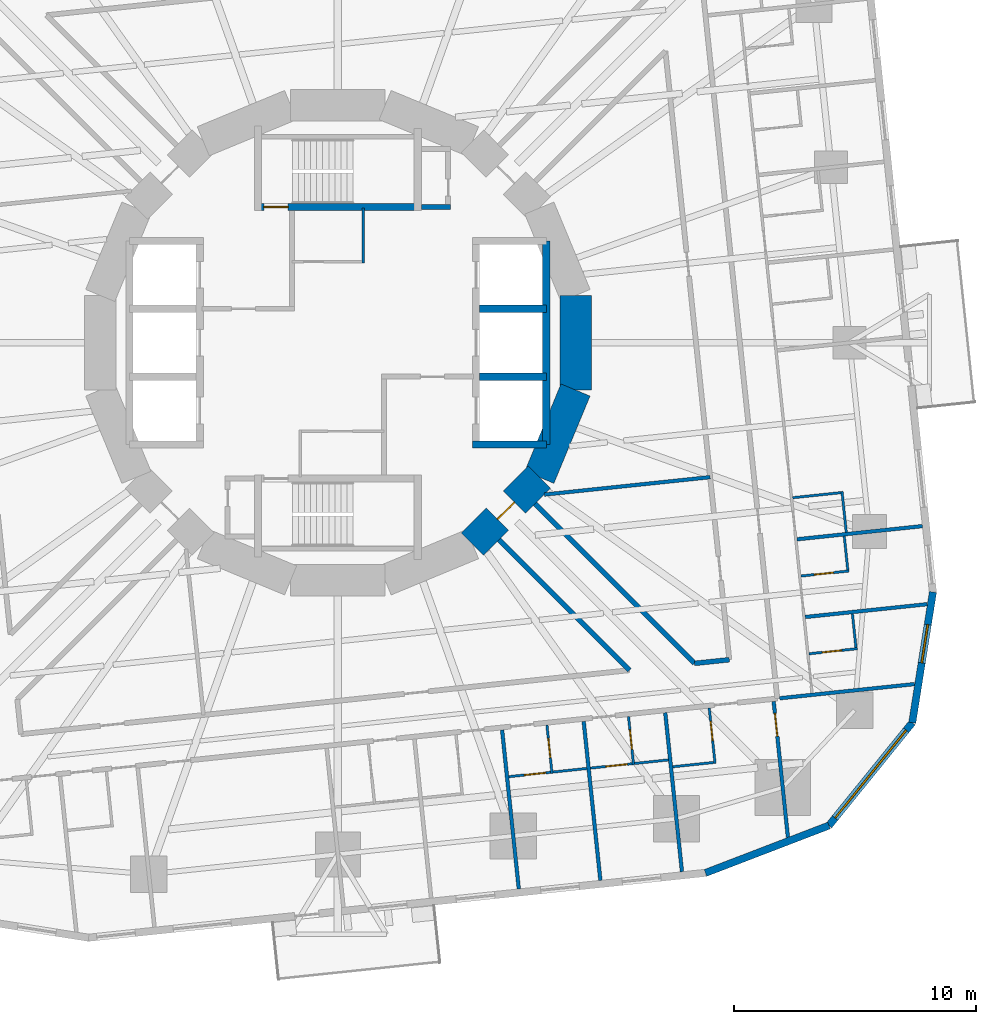
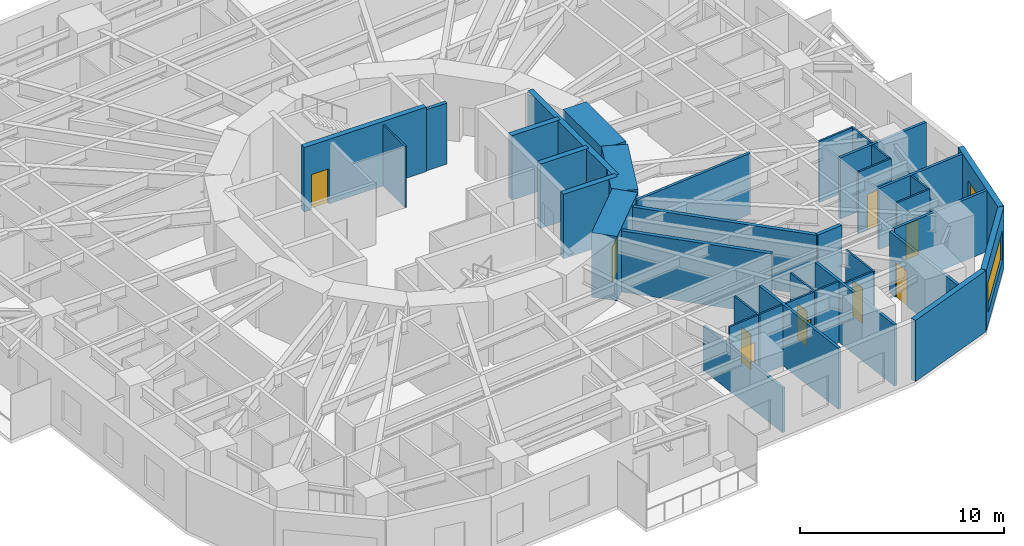
# One storey, part 8 of 14: 38 walls, 10 doors, 2 windows, 12 openings.
"""IFC4 building model written with IfcOpenShell, lengths in metres."""

from ifc_helpers import new_model, si_unit, direction, frame, frame_2d, origin, place, context, subcontext, project, spatial, rectangle, extrude, material, layer, layer_set, type_object, element, fill, save


model = new_model("IFC4")

# Units and contexts
model_context = context("Model", 3, precision=1e-05, world=origin(), true_north=direction((0.0, 1.0)))
body_context = subcontext(model_context, "Body", "Model", "MODEL_VIEW")
ifc_project = project(units=[si_unit("LENGTHUNIT", "METRE"), si_unit("AREAUNIT", "SQUARE_METRE"), si_unit("VOLUMEUNIT", "CUBIC_METRE"), si_unit("PLANEANGLEUNIT", "RADIAN"), si_unit("MASSUNIT", "GRAM", prefix="KILO")], contexts=[model_context])

# Site, building, storey
site_placement = place(None, origin())
site = spatial("IfcSite", under=ifc_project, at=site_placement, CompositionType="ELEMENT")
building_placement = place(site_placement, origin())
building = spatial("IfcBuilding", under=site, at=building_placement, Name="Nakasero Lantern House", CompositionType="ELEMENT")
storey_placement = place(building_placement, frame((0.0, 0.0, 87.449951171875)))
storey = spatial("IfcBuildingStorey", under=building, at=storey_placement, Name="L21", CompositionType="ELEMENT", Elevation=87.449951171875)

# Walls
ifc_material_1 = material(Name="Concrete C50/60", Category="concrete")
ifc_layer_1 = layer(ifc_material_1, 0.300048828125)
ifc_layer_set_1 = layer_set([ifc_layer_1], Name="Core inner wall 300")
wall_type_1 = type_object("IfcWallType", Name="Core inner wall 300", PredefinedType="SHEAR", material=ifc_layer_set_1)
wall_1_placement = place(storey_placement, frame((5.550048828125, -4.199951171875, 0.0), z_axis=(0.0, 0.0, 1.0), x_axis=(1.0, 0.0, 0.0)))
element("IfcWall", 1, at=wall_1_placement, inside=storey, type_object=wall_type_1, Name="Core inner wall L21 LES", PredefinedType="SHEAR", context=body_context, shape_type="SweptSolid", body=[
    extrude(rectangle(XDim=3.050048828125, YDim=0.300048828125, at=frame_2d((1.52490234375, 0.0))), origin(), (0.0, 0.0, 1.0), 3.85009765625),
])
wall_2_placement = place(storey_placement, frame((8.60009765625, -4.199951171875, 0.0), z_axis=(0.0, 0.0, 1.0), x_axis=(0.0, 1.0, 0.0)))
element("IfcWall", 2, at=wall_2_placement, inside=storey, type_object=wall_type_1, Name="Core inner wall L21 LEB", PredefinedType="SHEAR", context=body_context, shape_type="SweptSolid", body=[
    extrude(rectangle(XDim=8.39990234375, YDim=0.300048828125, at=frame_2d((4.199951171875, 0.0))), origin(), (0.0, 0.0, 1.0), 3.85009765625),
])
for number, where, z_axis, x_axis, name in (
    (3, (5.85009765625, -1.39990234375, 0.0), (0.0, 0.0, 1.0), (1.0, 0.0, 0.0), "Core inner wall L21 LE1"),
    (4, (5.85009765625, 1.39990234375, 0.0), (0.0, 0.0, 1.0), (1.0, 0.0, 0.0), "Core inner wall L21 LE2"),
):
    element("IfcWall", number, at=place(storey_placement, frame(where, z_axis=z_axis, x_axis=x_axis)), inside=storey, type_object=wall_type_1, Name=name, PredefinedType="SHEAR", context=body_context, shape_type="SweptSolid", body=[
        extrude(rectangle(XDim=2.75, YDim=0.300048828125, at=frame_2d((1.375, 0.0))), origin(), (0.0, 0.0, 1.0), 3.85009765625),
    ])

# Wall, opening, door
wall_3_placement = place(storey_placement, frame((-3.449951171875, 5.60009765625, 0.0), z_axis=(0.0, 0.0, 1.0), x_axis=(1.0, 0.0, 0.0)))
wall_3 = element("IfcWall", 5, at=wall_3_placement, inside=storey, type_object=wall_type_1, Name="Core inner wall L21 SN", PredefinedType="SHEAR", context=body_context, shape_type="SweptSolid", body=[
    extrude(rectangle(XDim=6.89990234375, YDim=0.300048828125, at=frame_2d((3.449951171875, 0.0))), origin(), (0.0, 0.0, 1.0), 3.85009765625),
])
opening_1_placement = place(wall_3_placement, frame((0.39990234375, 0.0, 0.0)))
opening_1 = element("IfcOpeningElement", 6, at=opening_1_placement, cuts=wall_3, Name="Opening D05", PredefinedType="OPENING", context=body_context, shape_type="SweptSolid", body=[
    extrude(rectangle(XDim=1.0, YDim=2.10009765625, at=frame_2d((0.5, 1.050048828125))), frame((0.0, 0.169921875, 0.0), z_axis=(0.0, -1.0, 0.0), x_axis=(1.0, 0.0, 0.0)), (0.0, 0.0, 1.0), 0.340087890625),
])
ifc_material_2 = material(Name="Timber C24", Category="wood")
door_type_1 = type_object("IfcDoorType", Name="Core door FD60S 1000", OperationType="SINGLE_SWING_LEFT", PredefinedType="DOOR", material=ifc_material_2)
door_1_placement = place(opening_1_placement, origin())
door_1 = element("IfcDoor", 7, at=door_1_placement, inside=storey, type_object=door_type_1, Name="Door L21 D-ST1", OperationType="SINGLE_SWING_LEFT", OverallHeight=2.10009765625, OverallWidth=1.0, PredefinedType="DOOR", context=body_context, shape_type="SweptSolid", body=[
    extrude(rectangle(XDim=1.0, YDim=2.10009765625, at=frame_2d((0.5, 1.050048828125))), frame((0.0, 0.02490234375, 0.0), z_axis=(0.0, -1.0, 0.0), x_axis=(1.0, 0.0, 0.0)), (0.0, 0.0, 1.0), 0.050048828125),
])
fill(opening_1, door_1)

# Wall
ifc_material_3 = material(Name="Blockwork", Category="masonry")
ifc_layer_2 = layer(ifc_material_3, 0.10009765625)
ifc_layer_set_2 = layer_set([ifc_layer_2], Name="Core room wall 100")
wall_type_2 = type_object("IfcWallType", Name="Core room wall 100", PredefinedType="PARTITIONING", material=ifc_layer_set_2)
wall_4_placement = place(storey_placement, frame((1.050048828125, 3.300048828125, 0.0), z_axis=(0.0, 0.0, 1.0), x_axis=(0.0, 1.0, 0.0)))
element("IfcWall", 8, at=wall_4_placement, inside=storey, type_object=wall_type_2, Name="Core room wall L21 CR-NEE", PredefinedType="PARTITIONING", context=body_context, shape_type="SweptSolid", body=[
    extrude(rectangle(XDim=2.25, YDim=0.10009765625, at=frame_2d((1.125, 0.0))), origin(), (0.0, 0.0, 1.0), 3.650146484375),
])

# Wall, opening, door
ifc_material_4 = material(Name="Concrete C50/60", Category="concrete")
ifc_layer_3 = layer(ifc_material_4, 1.300048828125)
ifc_layer_set_3 = layer_set([ifc_layer_3], Name="Core wall 1300")
wall_type_3 = type_object("IfcWallType", Name="Core wall 1300", PredefinedType="SHEAR", material=ifc_layer_set_3)
wall_5_placement = place(storey_placement, frame((5.5556640625, -8.314697265625, 0.0), z_axis=(0.0, 0.0, 1.0), x_axis=(0.707106781187, 0.707106781187, 0.0)))
wall_5 = element("IfcWall", 9, at=wall_5_placement, inside=storey, type_object=wall_type_3, Name="Core wall L21 facet 14", PredefinedType="SHEAR", context=body_context, shape_type="SweptSolid", body=[
    extrude(rectangle(XDim=3.90185546875, YDim=1.300048828125, at=frame_2d((1.950927734375, 0.0))), origin(), (0.0, 0.0, 1.0), 3.85009765625),
])
opening_2_placement = place(wall_5_placement, frame((1.450927734375, 0.0, 0.0)))
opening_2 = element("IfcOpeningElement", 10, at=opening_2_placement, cuts=wall_5, Name="Opening D05", PredefinedType="OPENING", context=body_context, shape_type="SweptSolid", body=[
    extrude(rectangle(XDim=1.0, YDim=2.10009765625, at=frame_2d((0.5, 1.050048828125))), frame((0.0, 0.669921875, 0.0), z_axis=(0.0, -1.0, 0.0), x_axis=(1.0, 0.0, 0.0)), (0.0, 0.0, 1.0), 1.340087890625),
])
door_2_placement = place(opening_2_placement, origin())
door_2 = element("IfcDoor", 11, at=door_2_placement, inside=storey, type_object=door_type_1, Name="Door L21 D-CORE14", OperationType="SINGLE_SWING_LEFT", OverallHeight=2.10009765625, OverallWidth=1.0, PredefinedType="DOOR", context=body_context, shape_type="SweptSolid", body=[
    extrude(rectangle(XDim=1.0, YDim=2.10009765625, at=frame_2d((0.5, 1.050048828125))), frame((0.0, 0.02490234375, 0.0), z_axis=(0.0, -1.0, 0.0), x_axis=(1.0, 0.0, 0.0)), (0.0, 0.0, 1.0), 0.050048828125),
])
fill(opening_2, door_2)

# Walls
for number, where, z_axis, x_axis, name in (
    (12, (8.314697265625, -5.5556640625, 0.0), (0.0, 0.0, 1.0), (0.382690736062, 0.923876507187, 0.0), "Core wall L21 facet 15"),
    (13, (9.807861328125, -1.950927734375, 0.0), (0.0, 0.0, 1.0), (0.0, 1.0, 0.0), "Core wall L21 facet 16"),
):
    element("IfcWall", number, at=place(storey_placement, frame(where, z_axis=z_axis, x_axis=x_axis)), inside=storey, type_object=wall_type_3, Name=name, PredefinedType="SHEAR", context=body_context, shape_type="SweptSolid", body=[
        extrude(rectangle(XDim=3.90185546875, YDim=1.300048828125, at=frame_2d((1.950927734375, 0.0))), origin(), (0.0, 0.0, 1.0), 3.85009765625),
    ])
ifc_material_5 = material(Name="Blockwork", Category="masonry")
ifc_layer_4 = layer(ifc_material_5, 0.199951171875)
ifc_layer_set_4 = layer_set([ifc_layer_4], Name="Corridor wall 200")
wall_type_4 = type_object("IfcWallType", Name="Corridor wall 200", PredefinedType="PARTITIONING", material=ifc_layer_set_4)
wall_6_placement = place(storey_placement, frame((14.718994140625, -13.23388671875, 0.0), z_axis=(0.0, 0.0, 1.0), x_axis=(0.994533193131, 0.104420916302, 0.0)))
element("IfcWall", 14, at=wall_6_placement, inside=storey, type_object=wall_type_4, Name="Corridor wall L21 IW3-1", PredefinedType="PARTITIONING", context=body_context, shape_type="SweptSolid", body=[
    extrude(rectangle(XDim=1.44482421875, YDim=0.199951171875, at=frame_2d((0.722412109375, 0.0))), origin(), (0.0, 0.0, 1.0), 3.650146484375),
])
wall_7_placement = place(storey_placement, frame((8.13720703125, -6.65234375, 0.0), z_axis=(0.0, 0.0, 1.0), x_axis=(0.707119895793, -0.707093666337, 0.0)))
element("IfcWall", 15, at=wall_7_placement, inside=storey, type_object=wall_type_4, Name="Corridor wall L21 PS14a", PredefinedType="PARTITIONING", context=body_context, shape_type="SweptSolid", body=[
    extrude(rectangle(XDim=9.307861328125, YDim=0.199951171875, at=frame_2d((4.65380859375, 0.0))), origin(), (0.0, 0.0, 1.0), 3.650146484375),
])
wall_8_placement = place(storey_placement, frame((6.65234375, -8.13720703125, 0.0), z_axis=(0.0, 0.0, 1.0), x_axis=(0.707106781187, -0.707106781187, 0.0)))
element("IfcWall", 16, at=wall_8_placement, inside=storey, type_object=wall_type_4, Name="Corridor wall L21 PS14b", PredefinedType="PARTITIONING", context=body_context, shape_type="SweptSolid", body=[
    extrude(rectangle(XDim=7.607177734375, YDim=0.199951171875, at=frame_2d((3.8037109375, 0.0))), origin(), (0.0, 0.0, 1.0), 3.650146484375),
])
ifc_material_6 = material(Name="Blockwork", Category="masonry")
ifc_layer_5 = layer(ifc_material_6, 0.10009765625)
ifc_layer_set_5 = layer_set([ifc_layer_5], Name="En-suite wall 100")
wall_type_5 = type_object("IfcWallType", Name="En-suite wall 100", PredefinedType="PARTITIONING", material=ifc_layer_set_5)
wall_9_placement = place(storey_placement, frame((18.771484375, -6.397216796875, 0.0), z_axis=(0.0, 0.0, 1.0), x_axis=(0.994523910136, 0.104509292252, 0.0)))
element("IfcWall", 17, at=wall_9_placement, inside=storey, type_object=wall_type_5, Name="En-suite wall L21 SS0-0", PredefinedType="PARTITIONING", context=body_context, shape_type="SweptSolid", body=[
    extrude(rectangle(XDim=2.10009765625, YDim=0.10009765625, at=frame_2d((1.050048828125, 0.0))), origin(), (0.0, 0.0, 1.0), 3.650146484375),
])
wall_10_placement = place(storey_placement, frame((20.982666015625, -7.823974609375, 0.0), z_axis=(0.0, 0.0, 1.0), x_axis=(-0.104408173862, 0.994534530939, 0.0)))
element("IfcWall", 18, at=wall_10_placement, inside=storey, type_object=wall_type_5, Name="En-suite wall L21 SE0-0", PredefinedType="PARTITIONING", context=body_context, shape_type="SweptSolid", body=[
    extrude(rectangle(XDim=1.699951171875, YDim=0.10009765625, at=frame_2d((0.85009765625, 0.0))), origin(), (0.0, 0.0, 1.0), 3.650146484375),
])

# Wall, opening, door
wall_11_placement = place(storey_placement, frame((19.448486328125, -12.837158203125, 0.0), z_axis=(0.0, 0.0, 1.0), x_axis=(0.99452550138, 0.104494148666, 0.0)))
wall_11 = element("IfcWall", 19, at=wall_11_placement, inside=storey, type_object=wall_type_5, Name="En-suite wall L21 ES0-00", PredefinedType="PARTITIONING", context=body_context, shape_type="SweptSolid", body=[
    extrude(rectangle(XDim=2.0, YDim=0.10009765625, at=frame_2d((1.0, 0.0))), origin(), (0.0, 0.0, 1.0), 3.650146484375),
])
opening_3_placement = place(wall_11_placement, frame((0.550048828125, 0.0, 0.0)))
opening_3 = element("IfcOpeningElement", 20, at=opening_3_placement, cuts=wall_11, Name="Opening D02", PredefinedType="OPENING", context=body_context, shape_type="SweptSolid", body=[
    extrude(rectangle(XDim=0.800048828125, YDim=2.10009765625, at=frame_2d((0.39990234375, 1.050048828125))), frame((0.0, 0.070068359375, 0.0), z_axis=(0.0, -1.0, 0.0), x_axis=(1.0, 0.0, 0.0)), (0.0, 0.0, 1.0), 0.14013671875),
])
ifc_material_7 = material(Name="Timber C24", Category="wood")
door_type_2 = type_object("IfcDoorType", Name="En-suite door 800", OperationType="SINGLE_SWING_RIGHT", PredefinedType="DOOR", material=ifc_material_7)
door_3_placement = place(opening_3_placement, origin())
door_3 = element("IfcDoor", 21, at=door_3_placement, inside=storey, type_object=door_type_2, Name="Door L21 DE0-00", OperationType="SINGLE_SWING_LEFT", OverallHeight=2.10009765625, OverallWidth=0.800048828125, PredefinedType="DOOR", context=body_context, shape_type="SweptSolid", body=[
    extrude(rectangle(XDim=0.800048828125, YDim=2.10009765625, at=frame_2d((0.39990234375, 1.050048828125))), frame((0.0, 0.02490234375, 0.0), z_axis=(0.0, -1.0, 0.0), x_axis=(1.0, 0.0, 0.0)), (0.0, 0.0, 1.0), 0.050048828125),
])
fill(opening_3, door_3)

# Wall
wall_12_placement = place(storey_placement, frame((21.382568359375, -12.58349609375, 0.0), z_axis=(0.0, 0.0, 1.0), x_axis=(-0.104630319263, 0.994511184598, 0.0)))
element("IfcWall", 22, at=wall_12_placement, inside=storey, type_object=wall_type_5, Name="En-suite wall L21 EE0-00", PredefinedType="PARTITIONING", context=body_context, shape_type="SweptSolid", body=[
    extrude(rectangle(XDim=1.39990234375, YDim=0.10009765625, at=frame_2d((0.699951171875, 0.0))), origin(), (0.0, 0.0, 1.0), 3.650146484375),
])

# Wall, opening, door
wall_13_placement = place(storey_placement, frame((19.111328125, -9.62939453125, 0.0), z_axis=(0.0, 0.0, 1.0), x_axis=(0.99452550138, 0.104494148666, 0.0)))
wall_13 = element("IfcWall", 23, at=wall_13_placement, inside=storey, type_object=wall_type_5, Name="En-suite wall L21 ES0-01", PredefinedType="PARTITIONING", context=body_context, shape_type="SweptSolid", body=[
    extrude(rectangle(XDim=2.0, YDim=0.10009765625, at=frame_2d((1.0, 0.0))), origin(), (0.0, 0.0, 1.0), 3.650146484375),
])
opening_4_placement = place(wall_13_placement, frame((0.550048828125, 0.0, 0.0)))
opening_4 = element("IfcOpeningElement", 24, at=opening_4_placement, cuts=wall_13, Name="Opening D02", PredefinedType="OPENING", context=body_context, shape_type="SweptSolid", body=[
    extrude(rectangle(XDim=0.800048828125, YDim=2.10009765625, at=frame_2d((0.39990234375, 1.050048828125))), frame((0.0, 0.070068359375, 0.0), z_axis=(0.0, -1.0, 0.0), x_axis=(1.0, 0.0, 0.0)), (0.0, 0.0, 1.0), 0.14013671875),
])
door_4_placement = place(opening_4_placement, origin())
door_4 = element("IfcDoor", 25, at=door_4_placement, inside=storey, type_object=door_type_2, Name="Door L21 DE0-01", OperationType="SINGLE_SWING_LEFT", OverallHeight=2.10009765625, OverallWidth=0.800048828125, PredefinedType="DOOR", context=body_context, shape_type="SweptSolid", body=[
    extrude(rectangle(XDim=0.800048828125, YDim=2.10009765625, at=frame_2d((0.39990234375, 1.050048828125))), frame((0.0, 0.02490234375, 0.0), z_axis=(0.0, -1.0, 0.0), x_axis=(1.0, 0.0, 0.0)), (0.0, 0.0, 1.0), 0.050048828125),
])
fill(opening_4, door_4)

# Wall
wall_14_placement = place(storey_placement, frame((21.04541015625, -9.3759765625, 0.0), z_axis=(0.0, 0.0, 1.0), x_axis=(-0.104630319263, 0.994511184598, 0.0)))
element("IfcWall", 26, at=wall_14_placement, inside=storey, type_object=wall_type_5, Name="En-suite wall L21 EE0-01", PredefinedType="PARTITIONING", context=body_context, shape_type="SweptSolid", body=[
    extrude(rectangle(XDim=1.39990234375, YDim=0.10009765625, at=frame_2d((0.699951171875, 0.0))), origin(), (0.0, 0.0, 1.0), 3.650146484375),
])

# Wall, opening, door
wall_15_placement = place(storey_placement, frame((8.627685546875, -15.78466796875, 0.0), z_axis=(0.0, 0.0, 1.0), x_axis=(0.104614886044, -0.994512808172, 0.0)))
wall_15 = element("IfcWall", 27, at=wall_15_placement, inside=storey, type_object=wall_type_5, Name="En-suite wall L21 ES3-06", PredefinedType="PARTITIONING", context=body_context, shape_type="SweptSolid", body=[
    extrude(rectangle(XDim=2.0, YDim=0.10009765625, at=frame_2d((1.0, 0.0))), origin(), (0.0, 0.0, 1.0), 3.650146484375),
])
opening_5_placement = place(wall_15_placement, frame((0.550048828125, 0.0, 0.0)))
opening_5 = element("IfcOpeningElement", 28, at=opening_5_placement, cuts=wall_15, Name="Opening D02", PredefinedType="OPENING", context=body_context, shape_type="SweptSolid", body=[
    extrude(rectangle(XDim=0.800048828125, YDim=2.10009765625, at=frame_2d((0.39990234375, 1.050048828125))), frame((0.0, 0.070068359375, 0.0), z_axis=(0.0, -1.0, 0.0), x_axis=(1.0, 0.0, 0.0)), (0.0, 0.0, 1.0), 0.14013671875),
])
door_5_placement = place(opening_5_placement, origin())
door_5 = element("IfcDoor", 29, at=door_5_placement, inside=storey, type_object=door_type_2, Name="Door L21 DE3-06", OperationType="SINGLE_SWING_LEFT", OverallHeight=2.10009765625, OverallWidth=0.800048828125, PredefinedType="DOOR", context=body_context, shape_type="SweptSolid", body=[
    extrude(rectangle(XDim=0.800048828125, YDim=2.10009765625, at=frame_2d((0.39990234375, 1.050048828125))), frame((0.0, 0.02490234375, 0.0), z_axis=(0.0, -1.0, 0.0), x_axis=(1.0, 0.0, 0.0)), (0.0, 0.0, 1.0), 0.050048828125),
])
fill(opening_5, door_5)

# Wall
wall_16_placement = place(storey_placement, frame((8.88134765625, -17.71875, 0.0), z_axis=(0.0, 0.0, 1.0), x_axis=(0.994511184598, 0.104630319263, 0.0)))
element("IfcWall", 30, at=wall_16_placement, inside=storey, type_object=wall_type_5, Name="En-suite wall L21 EE3-06", PredefinedType="PARTITIONING", context=body_context, shape_type="SweptSolid", body=[
    extrude(rectangle(XDim=1.39990234375, YDim=0.10009765625, at=frame_2d((0.699951171875, 0.0))), origin(), (0.0, 0.0, 1.0), 3.650146484375),
])

# Wall, opening, door
wall_17_placement = place(storey_placement, frame((11.994873046875, -15.4306640625, 0.0), z_axis=(0.0, 0.0, 1.0), x_axis=(0.104494148666, -0.99452550138, 0.0)))
wall_17 = element("IfcWall", 31, at=wall_17_placement, inside=storey, type_object=wall_type_5, Name="En-suite wall L21 ES3-07", PredefinedType="PARTITIONING", context=body_context, shape_type="SweptSolid", body=[
    extrude(rectangle(XDim=2.0, YDim=0.10009765625, at=frame_2d((1.0, 0.0))), origin(), (0.0, 0.0, 1.0), 3.650146484375),
])
opening_6_placement = place(wall_17_placement, frame((0.550048828125, 0.0, 0.0)))
opening_6 = element("IfcOpeningElement", 32, at=opening_6_placement, cuts=wall_17, Name="Opening D02", PredefinedType="OPENING", context=body_context, shape_type="SweptSolid", body=[
    extrude(rectangle(XDim=0.800048828125, YDim=2.10009765625, at=frame_2d((0.39990234375, 1.050048828125))), frame((0.0, 0.070068359375, 0.0), z_axis=(0.0, -1.0, 0.0), x_axis=(1.0, 0.0, 0.0)), (0.0, 0.0, 1.0), 0.14013671875),
])
door_6_placement = place(opening_6_placement, origin())
door_6 = element("IfcDoor", 33, at=door_6_placement, inside=storey, type_object=door_type_2, Name="Door L21 DE3-07", OperationType="SINGLE_SWING_LEFT", OverallHeight=2.10009765625, OverallWidth=0.800048828125, PredefinedType="DOOR", context=body_context, shape_type="SweptSolid", body=[
    extrude(rectangle(XDim=0.800048828125, YDim=2.10009765625, at=frame_2d((0.39990234375, 1.050048828125))), frame((0.0, 0.02490234375, 0.0), z_axis=(0.0, -1.0, 0.0), x_axis=(1.0, 0.0, 0.0)), (0.0, 0.0, 1.0), 0.050048828125),
])
fill(opening_6, door_6)

# Wall
wall_18_placement = place(storey_placement, frame((12.248291015625, -17.36474609375, 0.0), z_axis=(0.0, 0.0, 1.0), x_axis=(0.994529315664, 0.104457839748, 0.0)))
element("IfcWall", 34, at=wall_18_placement, inside=storey, type_object=wall_type_5, Name="En-suite wall L21 EE3-07", PredefinedType="PARTITIONING", context=body_context, shape_type="SweptSolid", body=[
    extrude(rectangle(XDim=1.39990234375, YDim=0.10009765625, at=frame_2d((0.699951171875, 0.0))), origin(), (0.0, 0.0, 1.0), 3.650146484375),
])

# Wall, opening, door
wall_19_placement = place(storey_placement, frame((15.326416015625, -15.08056640625, 0.0), z_axis=(0.0, 0.0, 1.0), x_axis=(0.104557694553, -0.994518822602, 0.0)))
wall_19 = element("IfcWall", 35, at=wall_19_placement, inside=storey, type_object=wall_type_5, Name="En-suite wall L21 ES3-08", PredefinedType="PARTITIONING", context=body_context, shape_type="SweptSolid", body=[
    extrude(rectangle(XDim=2.300048828125, YDim=0.10009765625, at=frame_2d((1.14990234375, 0.0))), origin(), (0.0, 0.0, 1.0), 3.650146484375),
])
opening_7_placement = place(wall_19_placement, frame((0.550048828125, 0.0, 0.0)))
opening_7 = element("IfcOpeningElement", 36, at=opening_7_placement, cuts=wall_19, Name="Opening D02", PredefinedType="OPENING", context=body_context, shape_type="SweptSolid", body=[
    extrude(rectangle(XDim=0.800048828125, YDim=2.10009765625, at=frame_2d((0.39990234375, 1.050048828125))), frame((0.0, 0.070068359375, 0.0), z_axis=(0.0, -1.0, 0.0), x_axis=(1.0, 0.0, 0.0)), (0.0, 0.0, 1.0), 0.14013671875),
])
door_7_placement = place(opening_7_placement, origin())
door_7 = element("IfcDoor", 37, at=door_7_placement, inside=storey, type_object=door_type_2, Name="Door L21 DE3-08", OperationType="SINGLE_SWING_LEFT", OverallHeight=2.10009765625, OverallWidth=0.800048828125, PredefinedType="DOOR", context=body_context, shape_type="SweptSolid", body=[
    extrude(rectangle(XDim=0.800048828125, YDim=2.10009765625, at=frame_2d((0.39990234375, 1.050048828125))), frame((0.0, 0.02490234375, 0.0), z_axis=(0.0, -1.0, 0.0), x_axis=(1.0, 0.0, 0.0)), (0.0, 0.0, 1.0), 0.050048828125),
])
fill(opening_7, door_7)

# Wall
wall_20_placement = place(storey_placement, frame((13.8212890625, -17.501220703125, 0.0), z_axis=(0.0, 0.0, 1.0), x_axis=(0.994519608382, 0.104550220202, 0.0)))
element("IfcWall", 38, at=wall_20_placement, inside=storey, type_object=wall_type_5, Name="En-suite wall L21 EE3-08", PredefinedType="PARTITIONING", context=body_context, shape_type="SweptSolid", body=[
    extrude(rectangle(XDim=1.699951171875, YDim=0.10009765625, at=frame_2d((0.85009765625, 0.0))), origin(), (0.0, 0.0, 1.0), 3.650146484375),
])

# Wall, opening, door
wall_21_placement = place(storey_placement, frame((7.055908203125, -17.91064453125, 0.0), z_axis=(0.0, 0.0, 1.0), x_axis=(0.99452316669, 0.10451636674, 0.0)))
wall_21 = element("IfcWall", 39, at=wall_21_placement, inside=storey, type_object=wall_type_5, Name="En-suite wall L21 EL3-06", PredefinedType="PARTITIONING", context=body_context, shape_type="SweptSolid", body=[
    extrude(rectangle(XDim=1.735595703125, YDim=0.10009765625, at=frame_2d((0.86767578125, 0.0))), origin(), (0.0, 0.0, 1.0), 3.650146484375),
])
opening_8_placement = place(wall_21_placement, frame((0.635498046875, 0.0, 0.0)))
opening_8 = element("IfcOpeningElement", 40, at=opening_8_placement, cuts=wall_21, Name="Opening D17", PredefinedType="OPENING", context=body_context, shape_type="SweptSolid", body=[
    extrude(rectangle(XDim=0.89990234375, YDim=2.10009765625, at=frame_2d((0.449951171875, 1.050048828125))), frame((0.0, 0.070068359375, 0.0), z_axis=(0.0, -1.0, 0.0), x_axis=(1.0, 0.0, 0.0)), (0.0, 0.0, 1.0), 0.14013671875),
])
ifc_material_8 = material(Name="Timber C24", Category="wood")
door_type_3 = type_object("IfcDoorType", Name="Bedroom door FD30S 900", OperationType="SINGLE_SWING_LEFT", PredefinedType="DOOR", material=ifc_material_8)
door_8_placement = place(opening_8_placement, origin())
door_8 = element("IfcDoor", 41, at=door_8_placement, inside=storey, type_object=door_type_3, Name="Door L21 DL3-06", OperationType="SINGLE_SWING_RIGHT", OverallHeight=2.10009765625, OverallWidth=0.89990234375, PredefinedType="DOOR", context=body_context, shape_type="SweptSolid", body=[
    extrude(rectangle(XDim=0.89990234375, YDim=2.10009765625, at=frame_2d((0.449951171875, 1.050048828125))), frame((0.0, 0.02490234375, 0.0), z_axis=(0.0, -1.0, 0.0), x_axis=(1.0, 0.0, 0.0)), (0.0, 0.0, 1.0), 0.050048828125),
])
fill(opening_8, door_8)

wall_22_placement = place(storey_placement, frame((10.4228515625, -17.556640625, 0.0), z_axis=(0.0, 0.0, 1.0), x_axis=(0.99452316669, 0.10451636674, 0.0)))
wall_22 = element("IfcWall", 42, at=wall_22_placement, inside=storey, type_object=wall_type_5, Name="En-suite wall L21 EL3-07", PredefinedType="PARTITIONING", context=body_context, shape_type="SweptSolid", body=[
    extrude(rectangle(XDim=1.735595703125, YDim=0.10009765625, at=frame_2d((0.86767578125, 0.0))), origin(), (0.0, 0.0, 1.0), 3.650146484375),
])
opening_9_placement = place(wall_22_placement, frame((0.635498046875, 0.0, 0.0)))
opening_9 = element("IfcOpeningElement", 43, at=opening_9_placement, cuts=wall_22, Name="Opening D17", PredefinedType="OPENING", context=body_context, shape_type="SweptSolid", body=[
    extrude(rectangle(XDim=0.89990234375, YDim=2.10009765625, at=frame_2d((0.449951171875, 1.050048828125))), frame((0.0, 0.070068359375, 0.0), z_axis=(0.0, -1.0, 0.0), x_axis=(1.0, 0.0, 0.0)), (0.0, 0.0, 1.0), 0.14013671875),
])
door_9_placement = place(opening_9_placement, origin())
door_9 = element("IfcDoor", 44, at=door_9_placement, inside=storey, type_object=door_type_3, Name="Door L21 DL3-07", OperationType="SINGLE_SWING_RIGHT", OverallHeight=2.10009765625, OverallWidth=0.89990234375, PredefinedType="DOOR", context=body_context, shape_type="SweptSolid", body=[
    extrude(rectangle(XDim=0.89990234375, YDim=2.10009765625, at=frame_2d((0.449951171875, 1.050048828125))), frame((0.0, 0.02490234375, 0.0), z_axis=(0.0, -1.0, 0.0), x_axis=(1.0, 0.0, 0.0)), (0.0, 0.0, 1.0), 0.050048828125),
])
fill(opening_9, door_9)

# Wall
ifc_material_9 = material(Name="Aluminium rainscreen on blockwork", Category="masonry")
ifc_layer_6 = layer(ifc_material_9, 0.300048828125)
ifc_layer_set_6 = layer_set([ifc_layer_6], Name="Facade wall 300")
wall_type_6 = type_object("IfcWallType", Name="Facade wall 300", PredefinedType="SOLIDWALL", material=ifc_layer_set_6)
wall_23_placement = place(storey_placement, frame((15.170654296875, -21.884033203125, 0.0), z_axis=(0.0, 0.0, 1.0), x_axis=(0.933583906079, 0.358358884793, 0.0)))
element("IfcWall", 45, at=wall_23_placement, inside=storey, type_object=wall_type_6, Name="Facade wall L21 FW3C1", PredefinedType="SOLIDWALL", context=body_context, shape_type="SweptSolid", body=[
    extrude(rectangle(XDim=5.461181640625, YDim=0.300048828125, at=frame_2d((2.73046875, 0.0))), origin(), (0.0, 0.0, 1.0), 3.650146484375),
])

# Wall, opening, window
wall_24_placement = place(storey_placement, frame((20.26904296875, -19.927001953125, 0.0), z_axis=(0.0, 0.0, 1.0), x_axis=(0.629334543442, 0.777134500863, 0.0)))
wall_24 = element("IfcWall", 46, at=wall_24_placement, inside=storey, type_object=wall_type_6, Name="Facade wall L21 FW3C2", PredefinedType="SOLIDWALL", context=body_context, shape_type="SweptSolid", body=[
    extrude(rectangle(XDim=5.4609375, YDim=0.300048828125, at=frame_2d((2.73046875, 0.0))), origin(), (0.0, 0.0, 1.0), 3.650146484375),
])
opening_10_placement = place(wall_24_placement, frame((0.39990234375, 0.0, 0.75)))
opening_10 = element("IfcOpeningElement", 47, at=opening_10_placement, cuts=wall_24, Name="Opening W246", PredefinedType="OPENING", context=body_context, shape_type="SweptSolid", body=[
    extrude(rectangle(XDim=4.660888671875, YDim=1.800048828125, at=frame_2d((2.33056640625, 0.89990234375))), frame((0.0, 0.169921875, 0.0), z_axis=(0.0, -1.0, 0.0), x_axis=(1.0, 0.0, 0.0)), (0.0, 0.0, 1.0), 0.340087890625),
])
ifc_material_10 = material(Name="Aluminium 6063-T6 and glass", Category="aluminium")
window_type_1 = type_object("IfcWindowType", Name="Corner window 4661x1800", PartitioningType="SINGLE_PANEL", PredefinedType="WINDOW", material=ifc_material_10)
window_1_placement = place(opening_10_placement, origin())
window_1 = element("IfcWindow", 48, at=window_1_placement, inside=storey, type_object=window_type_1, Name="Window L21 WC3", OverallHeight=1.800048828125, OverallWidth=4.660888671875, PartitioningType="SINGLE_PANEL", PredefinedType="WINDOW", context=body_context, shape_type="SweptSolid", body=[
    extrude(rectangle(XDim=4.660888671875, YDim=1.800048828125, at=frame_2d((2.33056640625, 0.89990234375))), frame((0.0, 0.030029296875, 0.0), z_axis=(0.0, -1.0, 0.0), x_axis=(1.0, 0.0, 0.0)), (0.0, 0.0, 1.0), 0.06005859375),
])
fill(opening_10, window_1)

wall_25_placement = place(storey_placement, frame((23.705810546875, -15.68310546875, 0.0), z_axis=(0.0, 0.0, 1.0), x_axis=(0.156419383601, 0.987690729142, 0.0)))
wall_25 = element("IfcWall", 49, at=wall_25_placement, inside=storey, type_object=wall_type_6, Name="Facade wall L21 FW3C3", PredefinedType="SOLIDWALL", context=body_context, shape_type="SweptSolid", body=[
    extrude(rectangle(XDim=5.461181640625, YDim=0.300048828125, at=frame_2d((2.73046875, 0.0))), origin(), (0.0, 0.0, 1.0), 3.650146484375),
])
opening_11_placement = place(wall_25_placement, frame((2.5, 0.0, 0.75)))
opening_11 = element("IfcOpeningElement", 50, at=opening_11_placement, cuts=wall_25, Name="Opening W01", PredefinedType="OPENING", context=body_context, shape_type="SweptSolid", body=[
    extrude(rectangle(XDim=1.60009765625, YDim=1.800048828125, at=frame_2d((0.800048828125, 0.89990234375))), frame((0.0, 0.169921875, 0.0), z_axis=(0.0, -1.0, 0.0), x_axis=(1.0, 0.0, 0.0)), (0.0, 0.0, 1.0), 0.340087890625),
])
ifc_material_11 = material(Name="Aluminium 6063-T6 and glass", Category="aluminium")
window_type_2 = type_object("IfcWindowType", Name="Bedroom window 1600x1800", PartitioningType="SINGLE_PANEL", PredefinedType="WINDOW", material=ifc_material_11)
window_2_placement = place(opening_11_placement, origin())
window_2 = element("IfcWindow", 51, at=window_2_placement, inside=storey, type_object=window_type_2, Name="Window L21 WN0-00", OverallHeight=1.800048828125, OverallWidth=1.60009765625, PartitioningType="SINGLE_PANEL", PredefinedType="WINDOW", context=body_context, shape_type="SweptSolid", body=[
    extrude(rectangle(XDim=1.60009765625, YDim=1.800048828125, at=frame_2d((0.800048828125, 0.89990234375))), frame((0.0, 0.030029296875, 0.0), z_axis=(0.0, -1.0, 0.0), x_axis=(1.0, 0.0, 0.0)), (0.0, 0.0, 1.0), 0.06005859375),
])
fill(opening_11, window_2)

# Walls
ifc_material_12 = material(Name="Blockwork", Category="masonry")
ifc_layer_7 = layer(ifc_material_12, 0.199951171875)
ifc_layer_set_7 = layer_set([ifc_layer_7], Name="Fire lobby wall 200")
wall_type_7 = type_object("IfcWallType", Name="Fire lobby wall 200", PredefinedType="PARTITIONING", material=ifc_layer_set_7)
wall_26_placement = place(storey_placement, frame((3.449951171875, 5.60009765625, 0.0), z_axis=(0.0, 0.0, 1.0), x_axis=(1.0, 0.0, 0.0)))
element("IfcWall", 52, at=wall_26_placement, inside=storey, type_object=wall_type_7, Name="Fire lobby wall L21 W-RS1S", PredefinedType="PARTITIONING", context=body_context, shape_type="SweptSolid", body=[
    extrude(rectangle(XDim=1.199951171875, YDim=0.199951171875, at=frame_2d((0.60009765625, 0.0))), origin(), (0.0, 0.0, 1.0), 3.650146484375),
])
ifc_material_13 = material(Name="Blockwork", Category="masonry")
ifc_layer_8 = layer(ifc_material_13, 0.14990234375)
ifc_layer_set_8 = layer_set([ifc_layer_8], Name="Party wall 150")
wall_type_8 = type_object("IfcWallType", Name="Party wall 150", PredefinedType="PARTITIONING", material=ifc_layer_set_8)
wall_27_placement = place(storey_placement, frame((18.23388671875, -14.674560546875, 0.0), z_axis=(0.0, 0.0, 1.0), x_axis=(0.994520498284, 0.104541754786, 0.0)))
element("IfcWall", 53, at=wall_27_placement, inside=storey, type_object=wall_type_8, Name="Party wall L21 PW0-00", PredefinedType="PARTITIONING", context=body_context, shape_type="SweptSolid", body=[
    extrude(rectangle(XDim=5.597900390625, YDim=0.14990234375, at=frame_2d((2.798828125, 0.0))), origin(), (0.0, 0.0, 1.0), 3.650146484375),
])
wall_28_placement = place(storey_placement, frame((19.2890625, -11.320556640625, 0.0), z_axis=(0.0, 0.0, 1.0), x_axis=(0.994518658271, 0.104559257608, 0.0)))
element("IfcWall", 54, at=wall_28_placement, inside=storey, type_object=wall_type_8, Name="Party wall L21 PW0-01", PredefinedType="PARTITIONING", context=body_context, shape_type="SweptSolid", body=[
    extrude(rectangle(XDim=5.062255859375, YDim=0.14990234375, at=frame_2d((2.53125, 0.0))), origin(), (0.0, 0.0, 1.0), 3.650146484375),
])
wall_29_placement = place(storey_placement, frame((18.951904296875, -8.11279296875, 0.0), z_axis=(0.0, 0.0, 1.0), x_axis=(0.994523446942, 0.104513699976, 0.0)))
element("IfcWall", 55, at=wall_29_placement, inside=storey, type_object=wall_type_8, Name="Party wall L21 PW0-02", PredefinedType="PARTITIONING", context=body_context, shape_type="SweptSolid", body=[
    extrude(rectangle(XDim=5.199951171875, YDim=0.14990234375, at=frame_2d((2.60009765625, 0.0))), origin(), (0.0, 0.0, 1.0), 3.650146484375),
])
wall_30_placement = place(storey_placement, frame((6.77734375, -15.97900390625, 0.0), z_axis=(0.0, 0.0, 1.0), x_axis=(0.104534592565, -0.994521251134, 0.0)))
element("IfcWall", 56, at=wall_30_placement, inside=storey, type_object=wall_type_8, Name="Party wall L21 PW3-06", PredefinedType="PARTITIONING", context=body_context, shape_type="SweptSolid", body=[
    extrude(rectangle(XDim=6.60009765625, YDim=0.14990234375, at=frame_2d((3.300048828125, 0.0))), origin(), (0.0, 0.0, 1.0), 2.669921875),
])
wall_31_placement = place(storey_placement, frame((10.14453125, -15.625244140625, 0.0), z_axis=(0.0, 0.0, 1.0), x_axis=(0.104501850668, -0.994524692105, 0.0)))
element("IfcWall", 57, at=wall_31_placement, inside=storey, type_object=wall_type_8, Name="Party wall L21 PW3-07", PredefinedType="PARTITIONING", context=body_context, shape_type="SweptSolid", body=[
    extrude(rectangle(XDim=6.599853515625, YDim=0.14990234375, at=frame_2d((3.2998046875, 0.0))), origin(), (0.0, 0.0, 1.0), 3.650146484375),
])
wall_32_placement = place(storey_placement, frame((13.511474609375, -15.271240234375, 0.0), z_axis=(0.0, 0.0, 1.0), x_axis=(0.104534592565, -0.994521251134, 0.0)))
element("IfcWall", 58, at=wall_32_placement, inside=storey, type_object=wall_type_8, Name="Party wall L21 PW3-08", PredefinedType="PARTITIONING", context=body_context, shape_type="SweptSolid", body=[
    extrude(rectangle(XDim=6.60009765625, YDim=0.14990234375, at=frame_2d((3.300048828125, 0.0))), origin(), (0.0, 0.0, 1.0), 3.650146484375),
])

# Wall, opening, door
wall_33_placement = place(storey_placement, frame((17.9853515625, -14.801025390625, 0.0), z_axis=(0.0, 0.0, 1.0), x_axis=(0.104520320471, -0.994522751177, 0.0)))
wall_33 = element("IfcWall", 59, at=wall_33_placement, inside=storey, type_object=wall_type_8, Name="Party wall L21 PC3", PredefinedType="PARTITIONING", context=body_context, shape_type="SweptSolid", body=[
    extrude(rectangle(XDim=5.64111328125, YDim=0.14990234375, at=frame_2d((2.820556640625, 0.0))), origin(), (0.0, 0.0, 1.0), 3.650146484375),
])
opening_12_placement = place(wall_33_placement, frame((0.5, 0.0, 0.0)))
opening_12 = element("IfcOpeningElement", 60, at=opening_12_placement, cuts=wall_33, Name="Opening D01", PredefinedType="OPENING", context=body_context, shape_type="SweptSolid", body=[
    extrude(rectangle(XDim=0.949951171875, YDim=2.10009765625, at=frame_2d((0.47509765625, 1.050048828125))), frame((0.0, 0.094970703125, 0.0), z_axis=(0.0, -1.0, 0.0), x_axis=(1.0, 0.0, 0.0)), (0.0, 0.0, 1.0), 0.18994140625),
])
ifc_material_14 = material(Name="Timber C24", Category="wood")
door_type_4 = type_object("IfcDoorType", Name="Bedroom door FD30S 950", OperationType="SINGLE_SWING_LEFT", PredefinedType="DOOR", material=ifc_material_14)
door_10_placement = place(opening_12_placement, origin())
door_10 = element("IfcDoor", 61, at=door_10_placement, inside=storey, type_object=door_type_4, Name="Door L21 DC3", OperationType="SINGLE_SWING_LEFT", OverallHeight=2.10009765625, OverallWidth=0.949951171875, PredefinedType="DOOR", context=body_context, shape_type="SweptSolid", body=[
    extrude(rectangle(XDim=0.949951171875, YDim=2.10009765625, at=frame_2d((0.47509765625, 1.050048828125))), frame((0.0, 0.02490234375, 0.0), z_axis=(0.0, -1.0, 0.0), x_axis=(1.0, 0.0, 0.0)), (0.0, 0.0, 1.0), 0.050048828125),
])
fill(opening_12, door_10)

# Wall
wall_34_placement = place(storey_placement, frame((8.52197265625, -6.267822265625, 0.0), z_axis=(0.0, 0.0, 1.0), x_axis=(0.994520608951, 0.10454070199, 0.0)))
element("IfcWall", 62, at=wall_34_placement, inside=storey, type_object=wall_type_8, Name="Party wall L21 IS4", PredefinedType="PARTITIONING", context=body_context, shape_type="SweptSolid", body=[
    extrude(rectangle(XDim=6.8798828125, YDim=0.14990234375, at=frame_2d((3.43994140625, 0.0))), origin(), (0.0, 0.0, 1.0), 3.650146484375),
])

save(model, "model.ifc")
